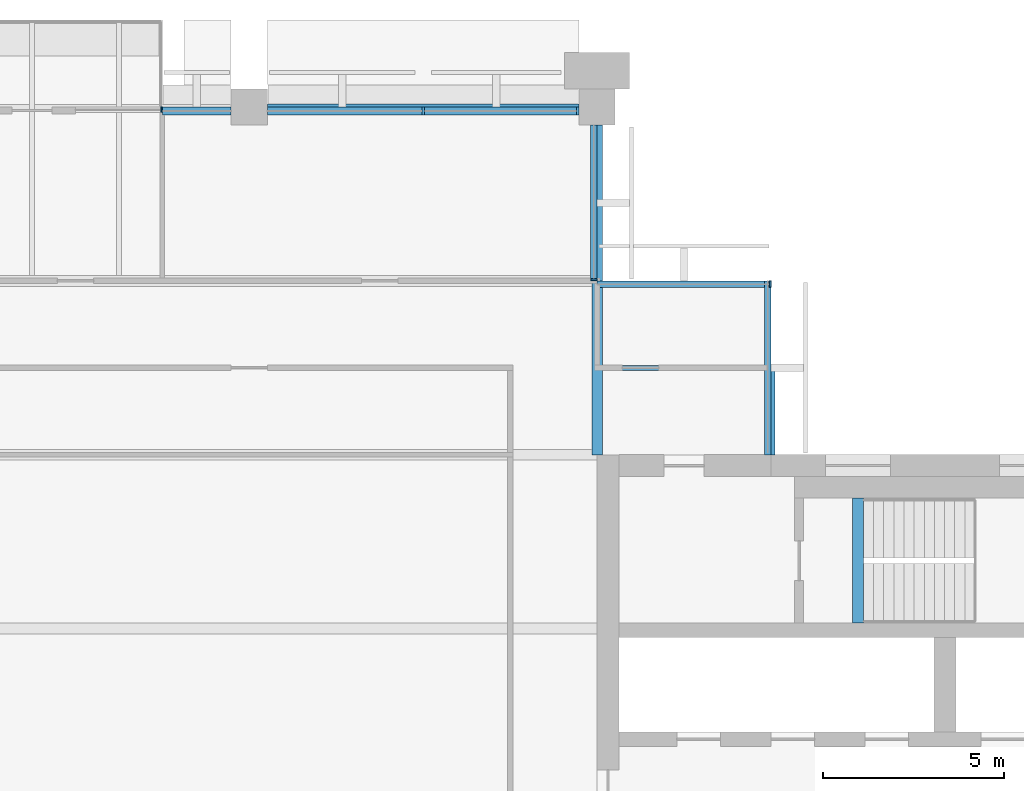
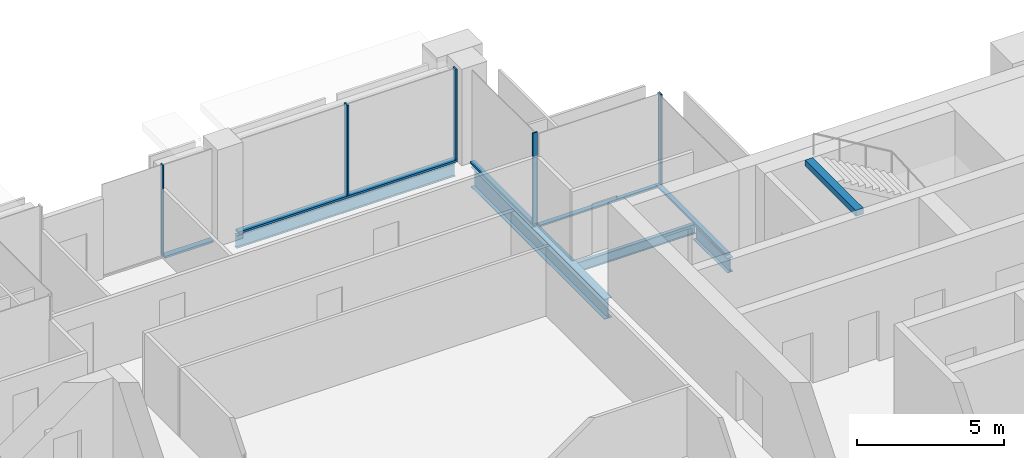
# One storey, part 6 of 13: 10 members, 5 beams, 5 elements without a shape of their own.
"""IFC4 building model written with IfcOpenShell, lengths in metres."""

import ifcopenshell
import ifcopenshell.guid

model = None  # the IFC model being written
_history = None  # IfcOwnerHistory: only IFC2X3 demands one
_inside = {}  # id of a spatial element -> (the spatial element, [elements in it])
_under = {}  # id of a project, library or spatial element -> (it, [spatial elements below it])
_declared = {}  # id of a project -> (the project, [libraries it declares])
_typed = {}  # id of a type object -> (the type object, [elements of that type])
_made_of = {}  # id of a material, layer set ... -> (it, [elements and type objects made of it])


def new_model(schema):
    """Start an empty IFC model of exactly this schema.

    Asked for "IFC4X3", IfcOpenShell would pick the latest addendum, in which some entities
    have other attributes; the version numbers below select the first issue.
    IFC2X3 requires an IfcOwnerHistory on every rooted entity: one is made here for all.
    """
    global model, _history
    if schema == "IFC4X3":
        model = ifcopenshell.file(schema_version=(4, 3, 0, 0))
    else:
        model = ifcopenshell.file(schema=schema)
    _inside.clear()
    _under.clear()
    _declared.clear()
    _typed.clear()
    _made_of.clear()
    _history = None
    if model.schema == "IFC2X3":
        org = make("IfcOrganization", Name="unknown")
        user = make(
            "IfcPersonAndOrganization",
            ThePerson=make("IfcPerson", FamilyName="unknown"),
            TheOrganization=org,
        )
        app = make(
            "IfcApplication",
            ApplicationDeveloper=org,
            Version="unknown",
            ApplicationFullName="unknown",
            ApplicationIdentifier="unknown",
        )
        _history = make(
            "IfcOwnerHistory",
            OwningUser=user,
            OwningApplication=app,
            ChangeAction="ADDED",
            CreationDate=0,
        )
    return model


def make(cls, **values):
    """One entity of the class cls with the attributes given. An attribute that is None is left unset."""
    return model.create_entity(
        cls, **{name: value for name, value in values.items() if value is not None}
    )


def rooted(cls, **values):
    """An entity with a GlobalId (a new one), such as an element, a storey or a relation."""
    return make(cls, GlobalId=ifcopenshell.guid.new(), OwnerHistory=_history, **values)


def si_unit(unit_type, name, prefix=None):
    """IfcSIUnit, for example si_unit("LENGTHUNIT", "METRE", prefix="MILLI")."""
    return make("IfcSIUnit", UnitType=unit_type, Prefix=prefix, Name=name)


def assignment(units):
    """IfcUnitAssignment: the units of a project."""
    return None if units is None else make("IfcUnitAssignment", Units=units)


def point(xyz):
    """IfcCartesianPoint."""
    return None if xyz is None else make("IfcCartesianPoint", Coordinates=xyz)


def direction(xyz):
    """IfcDirection."""
    return None if xyz is None else make("IfcDirection", DirectionRatios=xyz)


def frame(location, z_axis=None, x_axis=None):
    """IfcAxis2Placement3D, a coordinate frame: its origin and axes. An axis left out is left unset."""
    return make(
        "IfcAxis2Placement3D",
        Location=point(location),
        Axis=direction(z_axis),
        RefDirection=direction(x_axis),
    )


def frame_2d(location, x_axis=None):
    """IfcAxis2Placement2D, a coordinate frame in the plane: its origin and x axis."""
    return make(
        "IfcAxis2Placement2D", Location=point(location), RefDirection=direction(x_axis)
    )


def origin():
    """The frame at (0, 0, 0) with its axes left unset."""
    return frame((0.0, 0.0, 0.0))


def origin_2d():
    """The frame at (0, 0) in the plane with its x axis left unset."""
    return frame_2d((0.0, 0.0))


def place(relative_to, where):
    """IfcLocalPlacement: puts the frame where relative to a parent placement (None: the world)."""
    return make(
        "IfcLocalPlacement", PlacementRelTo=relative_to, RelativePlacement=where
    )


def context(
    kind, dimensions, precision=None, world=None, true_north=None, identifier=None
):
    """IfcGeometricRepresentationContext, for example the 3D "Model" context."""
    return make(
        "IfcGeometricRepresentationContext",
        ContextIdentifier=identifier,
        ContextType=kind,
        CoordinateSpaceDimension=dimensions,
        Precision=precision,
        WorldCoordinateSystem=world,
        TrueNorth=true_north,
    )


def subcontext(parent, identifier, kind, view, scale=None):
    """IfcGeometricRepresentationSubContext, for example "Body" below "Model"."""
    return make(
        "IfcGeometricRepresentationSubContext",
        ContextIdentifier=identifier,
        ContextType=kind,
        ParentContext=parent,
        TargetScale=scale,
        TargetView=view,
    )


def project(units=None, contexts=None):
    """IfcProject with its units and contexts."""
    return rooted(
        "IfcProject",
        Name="project",
        RepresentationContexts=contexts,
        UnitsInContext=assignment(units),
    )


def spatial(cls, under=None, at=None, **own):
    """A site, building, storey or space (cls), placed at a placement, below another one or the project."""
    s = rooted(cls, ObjectPlacement=at, **own)
    if under is not None:
        _under.setdefault(under.id(), (under, []))[1].append(s)
    return s


def profile(cls, at=None, kind="AREA", **sizes):
    """A parametric profile (cls). Its sizes go by their IFC names, for example OverallWidth=200.0."""
    return make(cls, ProfileType=kind, Position=at, **sizes)


def rectangle(**sizes):
    """IfcRectangleProfileDef."""
    return profile("IfcRectangleProfileDef", **sizes)


def i_section(**sizes):
    """IfcIShapeProfileDef."""
    return profile("IfcIShapeProfileDef", **sizes)


def extrude(swept, where, along, depth):
    """IfcExtrudedAreaSolid: the profile swept, set in the frame where, extruded along a direction by depth."""
    return make(
        "IfcExtrudedAreaSolid",
        SweptArea=swept,
        Position=where,
        ExtrudedDirection=direction(along),
        Depth=depth,
    )


def shape(context_of_items, identifier, shape_type, items):
    """IfcShapeRepresentation: the items that make up one representation, for example the "Body"."""
    return make(
        "IfcShapeRepresentation",
        ContextOfItems=context_of_items,
        RepresentationIdentifier=identifier,
        RepresentationType=shape_type,
        Items=items,
    )


def material(Name=None, Category=None):
    """IfcMaterial."""
    return make("IfcMaterial", Name=Name, Category=Category)


def material_profile(
    of_material, cross_section, Name=None, Category=None, Priority=None
):
    """IfcMaterialProfile: a cross section and its material."""
    return make(
        "IfcMaterialProfile",
        Name=Name,
        Material=of_material,
        Profile=cross_section,
        Priority=Priority,
        Category=Category,
    )


def profile_set(profiles, Name=None, composite=None):
    """IfcMaterialProfileSet."""
    return make(
        "IfcMaterialProfileSet",
        Name=Name,
        MaterialProfiles=profiles,
        CompositeProfile=composite,
    )


def made_of(thing, what):
    """Note that an element or type object is made of a material, layer set ...; save() writes the relation."""
    if what is not None:
        _made_of.setdefault(what.id(), (what, []))[1].append(thing)
    return thing


def type_object(cls, material=None, **own):
    """A type object (cls), such as IfcWallType, which elements share."""
    return made_of(rooted(cls, **own), material)


def element(
    cls,
    number,
    at=None,
    inside=None,
    cuts=None,
    type_object=None,
    material=None,
    context=None,
    identifier="Body",
    shape_type=None,
    held_by="IfcProductDefinitionShape",
    body=None,
    shapes=None,
    **own,
):
    """One element of the class cls, such as IfcWall. Its Tag is "e" and its number.

    at: its placement. inside: the storey or other place that contains it. cuts: it is an
    opening in that element (IfcRelVoidsElement). A single representation is given by context,
    identifier, shape_type and body (its items); several are given by shapes. held_by: the class
    of the entity that holds the representations. save() writes the other relations.
    """
    e = rooted(cls, Tag="e%d" % number, ObjectPlacement=at, **own)
    if body is not None:
        shapes = [shape(context, identifier, shape_type, body)]
    if shapes is not None:
        e.Representation = make(held_by, Representations=shapes)
    if inside is not None:
        _inside.setdefault(inside.id(), (inside, []))[1].append(e)
    if cuts is not None:
        rooted(
            "IfcRelVoidsElement", RelatingBuildingElement=cuts, RelatedOpeningElement=e
        )
    if type_object is not None:
        _typed.setdefault(type_object.id(), (type_object, []))[1].append(e)
    return made_of(e, material)


def aggregate(whole, parts):
    """IfcRelAggregates: a whole, such as a stair, and the parts it consists of."""
    return rooted("IfcRelAggregates", RelatingObject=whole, RelatedObjects=parts)


def save(model, path):
    """Write the relations noted so far, then the file.

    IfcRelAggregates (storeys below a building ...), IfcRelContainedInSpatialStructure (elements
    in a storey), IfcRelDefinesByType, IfcRelAssociatesMaterial and IfcRelDeclares: one each for
    every whole, place, type object, material and project.
    """
    for whole, parts in _under.values():
        aggregate(whole, parts)
    for where, things in _inside.values():
        rooted(
            "IfcRelContainedInSpatialStructure",
            RelatedElements=things,
            RelatingStructure=where,
        )
    for kind, things in _typed.values():
        rooted("IfcRelDefinesByType", RelatedObjects=things, RelatingType=kind)
    for what, things in _made_of.values():
        rooted("IfcRelAssociatesMaterial", RelatedObjects=things, RelatingMaterial=what)
    for by, libraries in _declared.values():
        rooted("IfcRelDeclares", RelatingContext=by, RelatedDefinitions=libraries)
    model.write(path)


model = new_model("IFC4")

# Units and contexts
model_context = context("Model", 3, precision=1e-05, world=origin(), true_north=direction((0.0, 1.0)))
body_context = subcontext(model_context, "Body", "Model", "MODEL_VIEW")
ifc_project = project(units=[si_unit("LENGTHUNIT", "METRE"), si_unit("AREAUNIT", "SQUARE_METRE"), si_unit("VOLUMEUNIT", "CUBIC_METRE"), si_unit("PLANEANGLEUNIT", "RADIAN"), si_unit("MASSUNIT", "GRAM", prefix="KILO")], contexts=[model_context])

# Site, building, storey
site_placement = place(None, origin())
site = spatial("IfcSite", under=ifc_project, at=site_placement, CompositionType="ELEMENT")
building_placement = place(site_placement, origin())
building = spatial("IfcBuilding", under=site, at=building_placement, Name="Baori Bourse Tower", CompositionType="ELEMENT")
storey_placement = place(building_placement, frame((0.0, 0.0, 338.300048828125)))
storey = spatial("IfcBuildingStorey", under=building, at=storey_placement, Name="L75", CompositionType="ELEMENT", Elevation=338.300048828125)

# Curtain wall, member
ifc_material_1 = material(Name="Pale anodised aluminium", Category="aluminium")
curtain_wall_type_1 = type_object("IfcCurtainWallType", Name="CW2 Curtain wall", PredefinedType="NOTDEFINED", material=ifc_material_1)
curtain_wall_1_placement = place(storey_placement, origin())
curtain_wall_1 = element("IfcCurtainWall", 1, at=curtain_wall_1_placement, inside=storey, type_object=curtain_wall_type_1, Name="Curtain wall CW2 L75 2", PredefinedType="NOTDEFINED")
ifc_material_2 = material(Name="Pale anodised aluminium", Category="aluminium")
ifc_material_profile_1 = material_profile(ifc_material_2, rectangle(XDim=0.179931640625, YDim=0.054931640625, at=origin_2d()), Name="Mullion 55x180")
ifc_profile_set_1 = profile_set([ifc_material_profile_1], Name="Pale anodised aluminium")
member_type_1 = type_object("IfcMemberType", Name="CW2 Curtain wall mullion", PredefinedType="MULLION", material=ifc_profile_set_1)
member_1_placement = place(storey_placement, frame((43.172607421875, 43.110107421875, 0.070068359375), z_axis=(0.0, 0.0, 1.0), x_axis=(0.0, -1.0, 0.0)))
member_1 = element("IfcMember", 2, at=member_1_placement, type_object=member_type_1, Name="Curtain wall CW2 mullion", PredefinedType="MULLION", context=body_context, shape_type="SweptSolid", body=[
    extrude(rectangle(XDim=0.179931640625, YDim=0.054931640625, at=origin_2d()), origin(), (0.0, 0.0, 1.0), 3.769775390625),
])

curtain_wall_2_placement = place(storey_placement, origin())
curtain_wall_2 = element("IfcCurtainWall", 3, at=curtain_wall_2_placement, inside=storey, type_object=curtain_wall_type_1, Name="Curtain wall CW2 L75 3", PredefinedType="NOTDEFINED")
member_2_placement = place(storey_placement, frame((38.31005859375, 43.2275390625, 0.070068359375), z_axis=(0.0, 0.0, 1.0), x_axis=(-1.0, 0.0, 0.0)))
member_2 = element("IfcMember", 4, at=member_2_placement, type_object=member_type_1, Name="Curtain wall CW2 mullion", PredefinedType="MULLION", context=body_context, shape_type="SweptSolid", body=[
    extrude(rectangle(XDim=0.179931640625, YDim=0.054931640625, at=origin_2d()), origin(), (0.0, 0.0, 1.0), 3.769775390625),
])

curtain_wall_3_placement = place(storey_placement, origin())
curtain_wall_3 = element("IfcCurtainWall", 5, at=curtain_wall_3_placement, inside=storey, type_object=curtain_wall_type_1, Name="Curtain wall CW2 L75 1", PredefinedType="NOTDEFINED")
ifc_material_3 = material(Name="Pale anodised aluminium", Category="aluminium")
ifc_material_profile_2 = material_profile(ifc_material_3, rectangle(XDim=0.179931640625, YDim=0.070068359375, at=origin_2d()), Name="Transom 70x180")
ifc_profile_set_2 = profile_set([ifc_material_profile_2], Name="Pale anodised aluminium")
member_type_2 = type_object("IfcMemberType", Name="CW2 Curtain wall transom", PredefinedType="USERDEFINED", material=ifc_profile_set_2)
member_3_placement = place(storey_placement, frame((43.110107421875, 38.39990234375, 0.034912109375), z_axis=(0.0, 1.0, 0.0), x_axis=(-1.0, 0.0, 0.0)))
member_3 = element("IfcMember", 6, at=member_3_placement, type_object=member_type_2, Name="Curtain wall CW2 sill rail", ObjectType="TRANSOM", PredefinedType="USERDEFINED", context=body_context, shape_type="SweptSolid", body=[
    extrude(rectangle(XDim=0.179931640625, YDim=0.070068359375, at=origin_2d()), origin(), (0.0, 0.0, 1.0), 4.800048828125),
])
aggregate(curtain_wall_3, [member_3])

# Member
member_4_placement = place(storey_placement, frame((43.199951171875, 43.110107421875, 0.034912109375), z_axis=(-1.0, 0.0, 0.0), x_axis=(0.0, -1.0, 0.0)))
member_4 = element("IfcMember", 7, at=member_4_placement, type_object=member_type_2, Name="Curtain wall CW2 sill rail", ObjectType="TRANSOM", PredefinedType="USERDEFINED", context=body_context, shape_type="SweptSolid", body=[
    extrude(rectangle(XDim=0.179931640625, YDim=0.070068359375, at=origin_2d()), origin(), (0.0, 0.0, 1.0), 4.800048828125),
])

aggregate(curtain_wall_1, [member_4, member_1])

member_5_placement = place(storey_placement, frame((38.31005859375, 43.199951171875, 0.034912109375), z_axis=(0.0, 1.0, 0.0), x_axis=(-1.0, 0.0, 0.0)))
member_5 = element("IfcMember", 8, at=member_5_placement, type_object=member_type_2, Name="Curtain wall CW2 sill rail", ObjectType="TRANSOM", PredefinedType="USERDEFINED", context=body_context, shape_type="SweptSolid", body=[
    extrude(rectangle(XDim=0.179931640625, YDim=0.070068359375, at=origin_2d()), origin(), (0.0, 0.0, 1.0), 4.300048828125),
])

aggregate(curtain_wall_2, [member_5, member_2])

# Curtain wall, members
ifc_material_4 = material(Name="Pale anodised aluminium", Category="aluminium")
curtain_wall_type_2 = type_object("IfcCurtainWallType", Name="CW5 Curtain wall", PredefinedType="NOTDEFINED", material=ifc_material_4)
curtain_wall_4_placement = place(storey_placement, origin())
curtain_wall_4 = element("IfcCurtainWall", 9, at=curtain_wall_4_placement, inside=storey, type_object=curtain_wall_type_2, Name="Curtain wall CW5 L75 4", PredefinedType="NOTDEFINED")
ifc_material_5 = material(Name="Pale anodised aluminium", Category="aluminium")
ifc_material_profile_3 = material_profile(ifc_material_5, rectangle(XDim=0.219970703125, YDim=0.06494140625, at=origin_2d()), Name="Mullion 65x220")
ifc_profile_set_3 = profile_set([ifc_material_profile_3], Name="Pale anodised aluminium")
member_type_3 = type_object("IfcMemberType", Name="CW5 Curtain wall mullion", PredefinedType="MULLION", material=ifc_profile_set_3)
member_6_placement = place(storey_placement, frame((37.867431640625, 47.889892578125, 0.0849609375), z_axis=(0.0, 0.0, 1.0), x_axis=(0.0, -1.0, 0.0)))
member_6 = element("IfcMember", 10, at=member_6_placement, type_object=member_type_3, Name="Curtain wall CW5 mullion", PredefinedType="MULLION", context=body_context, shape_type="SweptSolid", body=[
    extrude(rectangle(XDim=0.219970703125, YDim=0.06494140625, at=origin_2d()), origin(), (0.0, 0.0, 1.0), 3.7548828125),
])
member_7_placement = place(storey_placement, frame((33.60009765625, 47.889892578125, 0.0849609375), z_axis=(0.0, 0.0, 1.0), x_axis=(0.0, -1.0, 0.0)))
member_7 = element("IfcMember", 11, at=member_7_placement, type_object=member_type_3, Name="Curtain wall CW5 mullion", PredefinedType="MULLION", context=body_context, shape_type="SweptSolid", body=[
    extrude(rectangle(XDim=0.219970703125, YDim=0.06494140625, at=origin_2d()), origin(), (0.0, 0.0, 1.0), 3.7548828125),
])
ifc_material_6 = material(Name="Pale anodised aluminium", Category="aluminium")
ifc_material_profile_4 = material_profile(ifc_material_6, rectangle(XDim=0.219970703125, YDim=0.0849609375, at=origin_2d()), Name="Transom 85x220")
ifc_profile_set_4 = profile_set([ifc_material_profile_4], Name="Pale anodised aluminium")
member_type_4 = type_object("IfcMemberType", Name="CW5 Curtain wall transom", PredefinedType="USERDEFINED", material=ifc_profile_set_4)
member_8_placement = place(storey_placement, frame((37.89990234375, 47.889892578125, 0.04248046875), z_axis=(-1.0, 0.0, 0.0), x_axis=(0.0, -1.0, 0.0)))
member_8 = element("IfcMember", 12, at=member_8_placement, type_object=member_type_4, Name="Curtain wall CW5 sill rail", ObjectType="TRANSOM", PredefinedType="USERDEFINED", context=body_context, shape_type="SweptSolid", body=[
    extrude(rectangle(XDim=0.219970703125, YDim=0.0849609375, at=origin_2d()), origin(), (0.0, 0.0, 1.0), 8.599853515625),
])
member_9_placement = place(storey_placement, frame((28.300048828125, 47.889892578125, 0.04248046875), z_axis=(-1.0, 0.0, 0.0), x_axis=(0.0, -1.0, 0.0)))
member_9 = element("IfcMember", 13, at=member_9_placement, type_object=member_type_4, Name="Curtain wall CW5 sill rail", ObjectType="TRANSOM", PredefinedType="USERDEFINED", context=body_context, shape_type="SweptSolid", body=[
    extrude(rectangle(XDim=0.219970703125, YDim=0.0849609375, at=origin_2d()), origin(), (0.0, 0.0, 1.0), 1.900146484375),
])
aggregate(curtain_wall_4, [member_8, member_6, member_7, member_9])

# Curtain wall, member
ifc_material_7 = material(Name="Pale anodised aluminium", Category="aluminium")
curtain_wall_type_3 = type_object("IfcCurtainWallType", Name="CW6 Curtain wall", PredefinedType="NOTDEFINED", material=ifc_material_7)
curtain_wall_5_placement = place(storey_placement, origin())
curtain_wall_5 = element("IfcCurtainWall", 14, at=curtain_wall_5_placement, inside=storey, type_object=curtain_wall_type_3, Name="Curtain wall CW6 L75 5", PredefinedType="NOTDEFINED")
ifc_material_8 = material(Name="Pale anodised aluminium", Category="aluminium")
ifc_material_profile_5 = material_profile(ifc_material_8, rectangle(XDim=0.14990234375, YDim=0.050048828125, at=origin_2d()), Name="Mullion 50x150")
ifc_profile_set_5 = profile_set([ifc_material_profile_5], Name="Pale anodised aluminium")
member_type_5 = type_object("IfcMemberType", Name="CW6 Curtain wall mullion", PredefinedType="MULLION", material=ifc_profile_set_5)
member_10_placement = place(storey_placement, frame((26.375, 47.925048828125, 0.06494140625), z_axis=(0.0, 0.0, 1.0), x_axis=(0.0, -1.0, 0.0)))
member_10 = element("IfcMember", 15, at=member_10_placement, type_object=member_type_5, Name="Curtain wall CW6 mullion", PredefinedType="MULLION", context=body_context, shape_type="SweptSolid", body=[
    extrude(rectangle(XDim=0.14990234375, YDim=0.050048828125, at=origin_2d()), origin(), (0.0, 0.0, 1.0), 3.77490234375),
])
aggregate(curtain_wall_5, [member_10])

# Beams
ifc_material_9 = material(Name="Steel A992 Gr 50", Category="steel")
ifc_material_profile_6 = material_profile(ifc_material_9, i_section(OverallWidth=0.227783203125, OverallDepth=0.60205078125, WebThickness=0.010498046875, FlangeThickness=0.014892578125, at=origin_2d()), Name="W24x68")
ifc_profile_set_6 = profile_set([ifc_material_profile_6], Name="Steel A992 Gr 50")
beam_type_1 = type_object("IfcBeamType", Name="Core bracket W24x68", PredefinedType="BEAM", material=ifc_profile_set_6)
beam_1_placement = place(storey_placement, frame((43.199951171875, 38.39990234375, -0.4609375), z_axis=(0.0, 1.0, 0.0), x_axis=(-1.0, 0.0, 0.0)))
element("IfcBeam", 16, at=beam_1_placement, inside=storey, type_object=beam_type_1, Name="Core bracket L75", PredefinedType="BEAM", context=body_context, shape_type="SweptSolid", body=[
    extrude(i_section(OverallWidth=0.227783203125, OverallDepth=0.60205078125, WebThickness=0.010498046875, FlangeThickness=0.014892578125, at=origin_2d()), origin(), (0.0, 0.0, 1.0), 2.329833984375),
])
ifc_material_10 = material(Name="Steel A992 Gr 50", Category="steel")
ifc_material_profile_7 = material_profile(ifc_material_10, i_section(OverallWidth=0.1650390625, OverallDepth=0.52587890625, WebThickness=0.0087890625, FlangeThickness=0.011474609375, at=origin_2d()), Name="W21x44")
ifc_profile_set_7 = profile_set([ifc_material_profile_7], Name="Steel A992 Gr 50")
beam_type_2 = type_object("IfcBeamType", Name="Edge beam W21x44", PredefinedType="BEAM", material=ifc_profile_set_7)
beam_2_placement = place(storey_placement, frame((29.300048828125, 48.0, -0.4228515625), z_axis=(1.0, 0.0, 0.0), x_axis=(0.0, 1.0, 0.0)))
element("IfcBeam", 17, at=beam_2_placement, inside=storey, type_object=beam_type_2, Name="Edge beam L75", PredefinedType="BEAM", context=body_context, shape_type="SweptSolid", body=[
    extrude(i_section(OverallWidth=0.1650390625, OverallDepth=0.52587890625, WebThickness=0.0087890625, FlangeThickness=0.011474609375, at=origin_2d()), origin(), (0.0, 0.0, 1.0), 8.599853515625),
])
ifc_material_11 = material(Name="Steel A992 Gr 50", Category="steel")
ifc_material_profile_8 = material_profile(ifc_material_11, i_section(OverallWidth=0.2919921875, OverallDepth=0.835693359375, WebThickness=0.013916015625, FlangeThickness=0.018798828125, at=origin_2d()), Name="W33x118")
ifc_profile_set_8 = profile_set([ifc_material_profile_8], Name="Steel A992 Gr 50")
beam_type_3 = type_object("IfcBeamType", Name="Girder W33x118", PredefinedType="BEAM", material=ifc_profile_set_8)
beam_3_placement = place(storey_placement, frame((38.39990234375, 38.39990234375, -0.577880859375), z_axis=(0.0, 1.0, 0.0), x_axis=(-1.0, 0.0, 0.0)))
element("IfcBeam", 18, at=beam_3_placement, inside=storey, type_object=beam_type_3, Name="Girder L75", PredefinedType="BEAM", context=body_context, shape_type="SweptSolid", body=[
    extrude(i_section(OverallWidth=0.2919921875, OverallDepth=0.835693359375, WebThickness=0.013916015625, FlangeThickness=0.018798828125, at=origin_2d()), origin(), (0.0, 0.0, 1.0), 9.10009765625),
])
ifc_material_12 = material(Name="Concrete f'c 50 MPa", Category="concrete")
ifc_material_profile_9 = material_profile(ifc_material_12, rectangle(XDim=0.300048828125, YDim=0.25, at=origin_2d()), Name="RC 300x250")
ifc_profile_set_9 = profile_set([ifc_material_profile_9], Name="Concrete f'c 50 MPa")
beam_type_4 = type_object("IfcBeamType", Name="Stair nib beam RC 300x250", PredefinedType="BEAM", material=ifc_profile_set_9)
beam_4_placement = place(storey_placement, frame((45.60009765625, 33.75, 3.71484375), z_axis=(0.0, 1.0, 0.0), x_axis=(-1.0, 0.0, 0.0)))
element("IfcBeam", 19, at=beam_4_placement, inside=storey, type_object=beam_type_4, Name="Stair EB nib beam L76", PredefinedType="BEAM", context=body_context, shape_type="SweptSolid", body=[
    extrude(rectangle(XDim=0.300048828125, YDim=0.25, at=origin_2d()), origin(), (0.0, 0.0, 1.0), 3.449951171875),
])
ifc_material_13 = material(Name="Steel A992 Gr 50", Category="steel")
ifc_material_profile_10 = material_profile(ifc_material_13, i_section(OverallWidth=0.140380859375, OverallDepth=0.40380859375, WebThickness=0.007080078125, FlangeThickness=0.01123046875, at=origin_2d()), Name="W16x31")
ifc_profile_set_10 = profile_set([ifc_material_profile_10], Name="Steel A992 Gr 50")
beam_type_5 = type_object("IfcBeamType", Name="Trimmer beam W16x31", PredefinedType="BEAM", material=ifc_profile_set_10)
beam_5_placement = place(storey_placement, frame((38.546142578125, 40.800048828125, -0.362060546875), z_axis=(1.0, 0.0, 0.0), x_axis=(0.0, 1.0, 0.0)))
element("IfcBeam", 20, at=beam_5_placement, inside=storey, type_object=beam_type_5, Name="Trimmer beam L75", PredefinedType="BEAM", context=body_context, shape_type="SweptSolid", body=[
    extrude(i_section(OverallWidth=0.140380859375, OverallDepth=0.40380859375, WebThickness=0.007080078125, FlangeThickness=0.01123046875, at=origin_2d()), origin(), (0.0, 0.0, 1.0), 4.65380859375),
])

save(model, "model.ifc")
